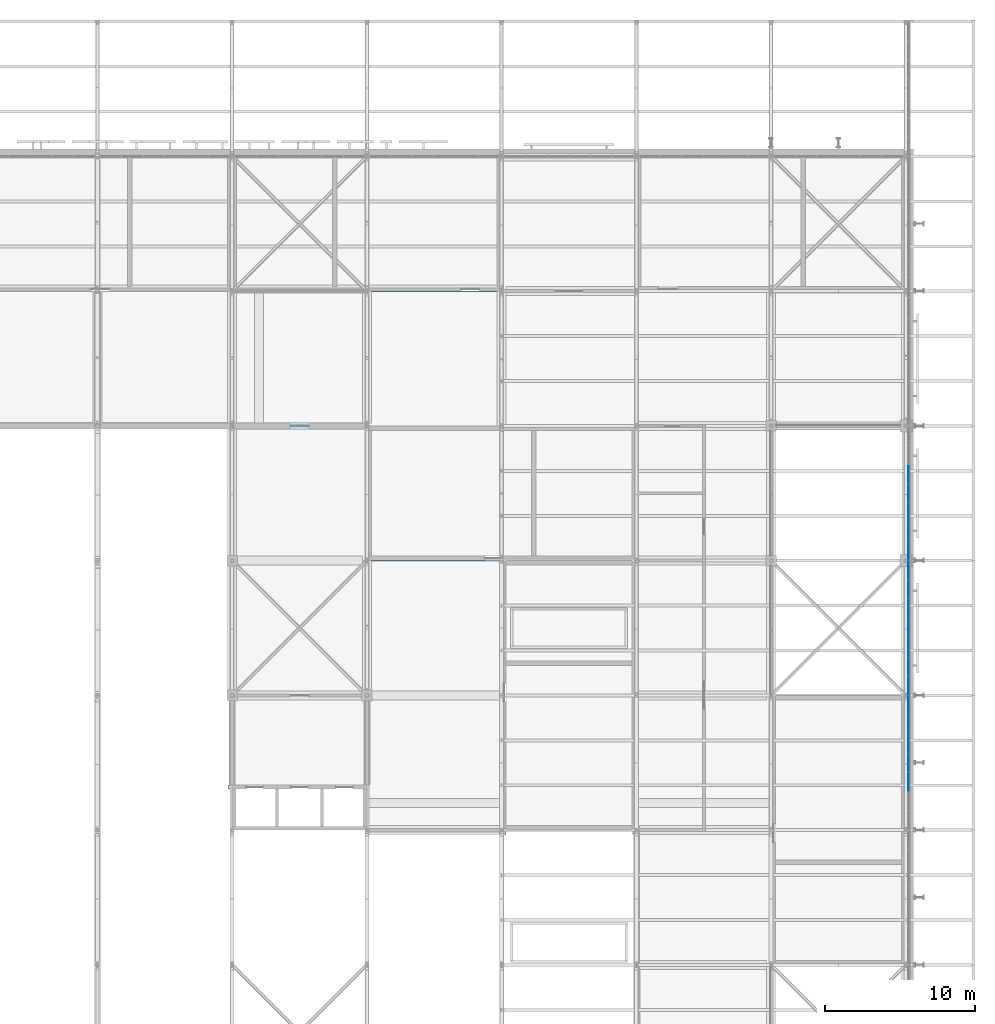
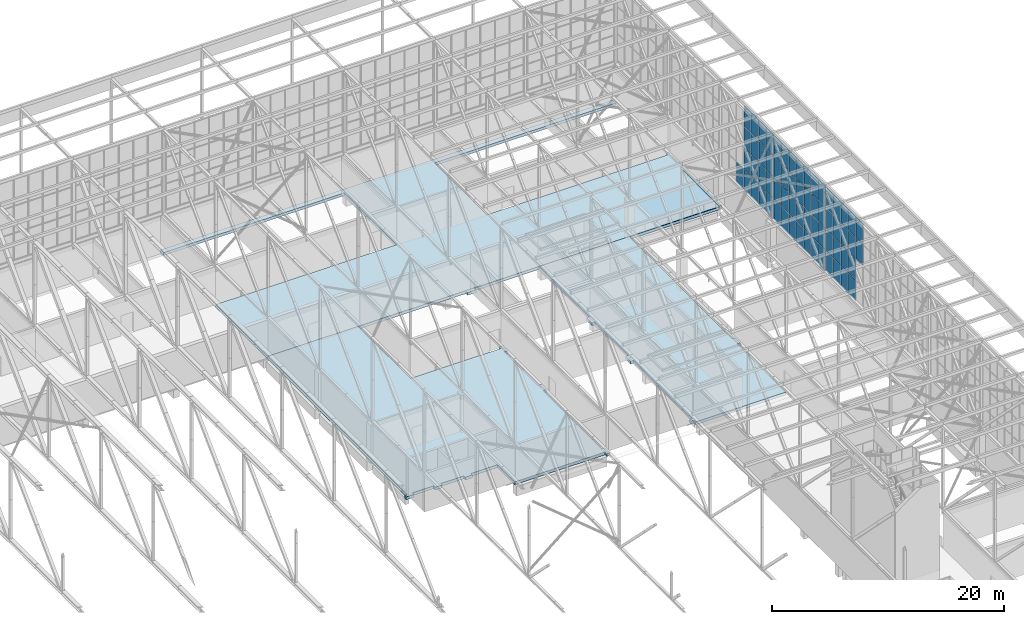
# One storey, part 157 of 646: 63 plates, 2 slabs, 3 elements without a shape of their own.
"""IFC4 building model written with IfcOpenShell, lengths in metres."""

from ifc_helpers import new_model, si_unit, direction, frame, origin, origin_2d, place, context, subcontext, project, spatial, polyline, rectangle, outline, extrude, material, layer, layer_set, type_object, element, aggregate, save


model = new_model("IFC4")

# Units and contexts
model_context = context("Model", 3, precision=1e-05, world=origin(), true_north=direction((0.0, 1.0)))
body_context = subcontext(model_context, "Body", "Model", "MODEL_VIEW")
ifc_project = project(units=[si_unit("LENGTHUNIT", "METRE"), si_unit("AREAUNIT", "SQUARE_METRE"), si_unit("VOLUMEUNIT", "CUBIC_METRE"), si_unit("PLANEANGLEUNIT", "RADIAN"), si_unit("MASSUNIT", "GRAM", prefix="KILO")], contexts=[model_context])

# Site, building, storey
site_placement = place(None, origin())
site = spatial("IfcSite", under=ifc_project, at=site_placement, CompositionType="ELEMENT")
building_placement = place(site_placement, origin())
building = spatial("IfcBuilding", under=site, at=building_placement, Name="Silverbay Arena", CompositionType="ELEMENT")
storey_placement = place(building_placement, frame((0.0, 0.0, 33.5)))
storey = spatial("IfcBuildingStorey", under=building, at=storey_placement, Name="L05", CompositionType="ELEMENT", Elevation=33.5)

# Curtain wall, plates
ifc_material_1 = material(Name="Aluminium framed glazing", Category="aluminium")
curtain_wall_type = type_object("IfcCurtainWallType", Name="Curtain wall clerestory 9000 x 9000", PredefinedType="NOTDEFINED", material=ifc_material_1)
curtain_wall_1_placement = place(storey_placement, origin())
curtain_wall_1 = element("IfcCurtainWall", 1, at=curtain_wall_1_placement, inside=storey, type_object=curtain_wall_type, Name="ROOF GABLE CLERESTORY CURTAIN WALL east bay 11", PredefinedType="NOTDEFINED")
ifc_material_2 = material(Name="Laminated glass", Category="glass")
ifc_layer_1 = layer(ifc_material_2, 0.028076171875)
ifc_layer_set_1 = layer_set([ifc_layer_1], Name="Laminated glass")
plate_type = type_object("IfcPlateType", Name="Glass panel 28", PredefinedType="CURTAIN_PANEL", material=ifc_layer_set_1)
plate_1_placement = place(storey_placement, frame((207.179931640625, 102.21435546875, 8.52490234375), z_axis=(0.0, 0.0, 1.0), x_axis=(0.0, 1.0, 0.0)))
plate_1 = element("IfcPlate", 2, at=plate_1_placement, type_object=plate_type, Name="CW60 panel 3.3", PredefinedType="CURTAIN_PANEL", context=body_context, shape_type="SweptSolid", body=[
    extrude(rectangle(XDim=1.225830078125, YDim=0.028076171875, at=origin_2d()), origin(), (0.0, 0.0, 1.0), 2.199951171875),
])
plate_2_placement = place(storey_placement, frame((207.179931640625, 102.21435546875, 10.77490234375), z_axis=(0.0, 0.0, 1.0), x_axis=(0.0, 1.0, 0.0)))
plate_2 = element("IfcPlate", 3, at=plate_2_placement, type_object=plate_type, Name="CW60 panel 3.4", PredefinedType="CURTAIN_PANEL", context=body_context, shape_type="SweptSolid", body=[
    extrude(rectangle(XDim=1.225830078125, YDim=0.028076171875, at=origin_2d()), origin(), (0.0, 0.0, 1.0), 2.175048828125),
])
plate_3_placement = place(storey_placement, frame((207.179931640625, 103.5, 4.0498046875), z_axis=(0.0, 0.0, 1.0), x_axis=(0.0, 1.0, 0.0)))
plate_3 = element("IfcPlate", 4, at=plate_3_placement, type_object=plate_type, Name="CW60 panel 4.1", PredefinedType="CURTAIN_PANEL", context=body_context, shape_type="SweptSolid", body=[
    extrude(rectangle(XDim=1.225830078125, YDim=0.028076171875, at=origin_2d()), origin(), (0.0, 0.0, 1.0), 2.175048828125),
])
plate_4_placement = place(storey_placement, frame((207.179931640625, 103.5, 6.27490234375), z_axis=(0.0, 0.0, 1.0), x_axis=(0.0, 1.0, 0.0)))
plate_4 = element("IfcPlate", 5, at=plate_4_placement, type_object=plate_type, Name="CW60 panel 4.2", PredefinedType="CURTAIN_PANEL", context=body_context, shape_type="SweptSolid", body=[
    extrude(rectangle(XDim=1.225830078125, YDim=0.028076171875, at=origin_2d()), origin(), (0.0, 0.0, 1.0), 2.199951171875),
])
plate_5_placement = place(storey_placement, frame((207.179931640625, 103.5, 8.52490234375), z_axis=(0.0, 0.0, 1.0), x_axis=(0.0, 1.0, 0.0)))
plate_5 = element("IfcPlate", 6, at=plate_5_placement, type_object=plate_type, Name="CW60 panel 4.3", PredefinedType="CURTAIN_PANEL", context=body_context, shape_type="SweptSolid", body=[
    extrude(rectangle(XDim=1.225830078125, YDim=0.028076171875, at=origin_2d()), origin(), (0.0, 0.0, 1.0), 2.199951171875),
])
plate_6_placement = place(storey_placement, frame((207.179931640625, 103.5, 10.77490234375), z_axis=(0.0, 0.0, 1.0), x_axis=(0.0, 1.0, 0.0)))
plate_6 = element("IfcPlate", 7, at=plate_6_placement, type_object=plate_type, Name="CW60 panel 4.4", PredefinedType="CURTAIN_PANEL", context=body_context, shape_type="SweptSolid", body=[
    extrude(rectangle(XDim=1.225830078125, YDim=0.028076171875, at=origin_2d()), origin(), (0.0, 0.0, 1.0), 2.175048828125),
])
plate_7_placement = place(storey_placement, frame((207.179931640625, 104.78564453125, 4.0498046875), z_axis=(0.0, 0.0, 1.0), x_axis=(0.0, 1.0, 0.0)))
plate_7 = element("IfcPlate", 8, at=plate_7_placement, type_object=plate_type, Name="CW60 panel 5.1", PredefinedType="CURTAIN_PANEL", context=body_context, shape_type="SweptSolid", body=[
    extrude(rectangle(XDim=1.225830078125, YDim=0.028076171875, at=origin_2d()), origin(), (0.0, 0.0, 1.0), 2.175048828125),
])
plate_8_placement = place(storey_placement, frame((207.179931640625, 104.78564453125, 6.27490234375), z_axis=(0.0, 0.0, 1.0), x_axis=(0.0, 1.0, 0.0)))
plate_8 = element("IfcPlate", 9, at=plate_8_placement, type_object=plate_type, Name="CW60 panel 5.2", PredefinedType="CURTAIN_PANEL", context=body_context, shape_type="SweptSolid", body=[
    extrude(rectangle(XDim=1.225830078125, YDim=0.028076171875, at=origin_2d()), origin(), (0.0, 0.0, 1.0), 2.199951171875),
])
plate_9_placement = place(storey_placement, frame((207.179931640625, 104.78564453125, 8.52490234375), z_axis=(0.0, 0.0, 1.0), x_axis=(0.0, 1.0, 0.0)))
plate_9 = element("IfcPlate", 10, at=plate_9_placement, type_object=plate_type, Name="CW60 panel 5.3", PredefinedType="CURTAIN_PANEL", context=body_context, shape_type="SweptSolid", body=[
    extrude(rectangle(XDim=1.225830078125, YDim=0.028076171875, at=origin_2d()), origin(), (0.0, 0.0, 1.0), 2.199951171875),
])
plate_10_placement = place(storey_placement, frame((207.179931640625, 104.78564453125, 10.77490234375), z_axis=(0.0, 0.0, 1.0), x_axis=(0.0, 1.0, 0.0)))
plate_10 = element("IfcPlate", 11, at=plate_10_placement, type_object=plate_type, Name="CW60 panel 5.4", PredefinedType="CURTAIN_PANEL", context=body_context, shape_type="SweptSolid", body=[
    extrude(rectangle(XDim=1.225830078125, YDim=0.028076171875, at=origin_2d()), origin(), (0.0, 0.0, 1.0), 2.175048828125),
])
plate_11_placement = place(storey_placement, frame((207.179931640625, 106.071533203125, 4.0498046875), z_axis=(0.0, 0.0, 1.0), x_axis=(0.0, 1.0, 0.0)))
plate_11 = element("IfcPlate", 12, at=plate_11_placement, type_object=plate_type, Name="CW60 panel 6.1", PredefinedType="CURTAIN_PANEL", context=body_context, shape_type="SweptSolid", body=[
    extrude(rectangle(XDim=1.225830078125, YDim=0.028076171875, at=origin_2d()), origin(), (0.0, 0.0, 1.0), 2.175048828125),
])
plate_12_placement = place(storey_placement, frame((207.179931640625, 106.071533203125, 6.27490234375), z_axis=(0.0, 0.0, 1.0), x_axis=(0.0, 1.0, 0.0)))
plate_12 = element("IfcPlate", 13, at=plate_12_placement, type_object=plate_type, Name="CW60 panel 6.2", PredefinedType="CURTAIN_PANEL", context=body_context, shape_type="SweptSolid", body=[
    extrude(rectangle(XDim=1.225830078125, YDim=0.028076171875, at=origin_2d()), origin(), (0.0, 0.0, 1.0), 2.199951171875),
])
plate_13_placement = place(storey_placement, frame((207.179931640625, 106.071533203125, 8.52490234375), z_axis=(0.0, 0.0, 1.0), x_axis=(0.0, 1.0, 0.0)))
plate_13 = element("IfcPlate", 14, at=plate_13_placement, type_object=plate_type, Name="CW60 panel 6.3", PredefinedType="CURTAIN_PANEL", context=body_context, shape_type="SweptSolid", body=[
    extrude(rectangle(XDim=1.225830078125, YDim=0.028076171875, at=origin_2d()), origin(), (0.0, 0.0, 1.0), 2.199951171875),
])
plate_14_placement = place(storey_placement, frame((207.179931640625, 106.071533203125, 10.77490234375), z_axis=(0.0, 0.0, 1.0), x_axis=(0.0, 1.0, 0.0)))
plate_14 = element("IfcPlate", 15, at=plate_14_placement, type_object=plate_type, Name="CW60 panel 6.4", PredefinedType="CURTAIN_PANEL", context=body_context, shape_type="SweptSolid", body=[
    extrude(rectangle(XDim=1.225830078125, YDim=0.028076171875, at=origin_2d()), origin(), (0.0, 0.0, 1.0), 2.175048828125),
])
plate_15_placement = place(storey_placement, frame((207.179931640625, 107.342041015625, 4.0498046875), z_axis=(0.0, 0.0, 1.0), x_axis=(0.0, 1.0, 0.0)))
plate_15 = element("IfcPlate", 16, at=plate_15_placement, type_object=plate_type, Name="CW60 panel 7.1", PredefinedType="CURTAIN_PANEL", context=body_context, shape_type="SweptSolid", body=[
    extrude(rectangle(XDim=1.19580078125, YDim=0.028076171875, at=origin_2d()), origin(), (0.0, 0.0, 1.0), 2.175048828125),
])
plate_16_placement = place(storey_placement, frame((207.179931640625, 107.342041015625, 6.27490234375), z_axis=(0.0, 0.0, 1.0), x_axis=(0.0, 1.0, 0.0)))
plate_16 = element("IfcPlate", 17, at=plate_16_placement, type_object=plate_type, Name="CW60 panel 7.2", PredefinedType="CURTAIN_PANEL", context=body_context, shape_type="SweptSolid", body=[
    extrude(rectangle(XDim=1.19580078125, YDim=0.028076171875, at=origin_2d()), origin(), (0.0, 0.0, 1.0), 2.199951171875),
])
plate_17_placement = place(storey_placement, frame((207.179931640625, 107.342041015625, 8.52490234375), z_axis=(0.0, 0.0, 1.0), x_axis=(0.0, 1.0, 0.0)))
plate_17 = element("IfcPlate", 18, at=plate_17_placement, type_object=plate_type, Name="CW60 panel 7.3", PredefinedType="CURTAIN_PANEL", context=body_context, shape_type="SweptSolid", body=[
    extrude(rectangle(XDim=1.19580078125, YDim=0.028076171875, at=origin_2d()), origin(), (0.0, 0.0, 1.0), 2.199951171875),
])
plate_18_placement = place(storey_placement, frame((207.179931640625, 107.342041015625, 10.77490234375), z_axis=(0.0, 0.0, 1.0), x_axis=(0.0, 1.0, 0.0)))
plate_18 = element("IfcPlate", 19, at=plate_18_placement, type_object=plate_type, Name="CW60 panel 7.4", PredefinedType="CURTAIN_PANEL", context=body_context, shape_type="SweptSolid", body=[
    extrude(rectangle(XDim=1.19580078125, YDim=0.028076171875, at=origin_2d()), origin(), (0.0, 0.0, 1.0), 2.175048828125),
])
aggregate(curtain_wall_1, [plate_1, plate_2, plate_3, plate_4, plate_5, plate_6, plate_7, plate_8, plate_9, plate_10, plate_11, plate_12, plate_13, plate_14, plate_15, plate_16, plate_17, plate_18])

curtain_wall_2_placement = place(storey_placement, origin())
curtain_wall_2 = element("IfcCurtainWall", 20, at=curtain_wall_2_placement, inside=storey, type_object=curtain_wall_type, Name="ROOF GABLE CLERESTORY CURTAIN WALL east bay 12", PredefinedType="NOTDEFINED")
plate_19_placement = place(storey_placement, frame((207.179931640625, 108.657958984375, 4.0498046875), z_axis=(0.0, 0.0, 1.0), x_axis=(0.0, 1.0, 0.0)))
plate_19 = element("IfcPlate", 21, at=plate_19_placement, type_object=plate_type, Name="CW60 panel 1.1", PredefinedType="CURTAIN_PANEL", context=body_context, shape_type="SweptSolid", body=[
    extrude(rectangle(XDim=1.19580078125, YDim=0.028076171875, at=origin_2d()), origin(), (0.0, 0.0, 1.0), 2.175048828125),
])
plate_20_placement = place(storey_placement, frame((207.179931640625, 108.657958984375, 6.27490234375), z_axis=(0.0, 0.0, 1.0), x_axis=(0.0, 1.0, 0.0)))
plate_20 = element("IfcPlate", 22, at=plate_20_placement, type_object=plate_type, Name="CW60 panel 1.2", PredefinedType="CURTAIN_PANEL", context=body_context, shape_type="SweptSolid", body=[
    extrude(rectangle(XDim=1.19580078125, YDim=0.028076171875, at=origin_2d()), origin(), (0.0, 0.0, 1.0), 2.199951171875),
])
plate_21_placement = place(storey_placement, frame((207.179931640625, 108.657958984375, 8.52490234375), z_axis=(0.0, 0.0, 1.0), x_axis=(0.0, 1.0, 0.0)))
plate_21 = element("IfcPlate", 23, at=plate_21_placement, type_object=plate_type, Name="CW60 panel 1.3", PredefinedType="CURTAIN_PANEL", context=body_context, shape_type="SweptSolid", body=[
    extrude(rectangle(XDim=1.19580078125, YDim=0.028076171875, at=origin_2d()), origin(), (0.0, 0.0, 1.0), 2.199951171875),
])
plate_22_placement = place(storey_placement, frame((207.179931640625, 108.657958984375, 10.77490234375), z_axis=(0.0, 0.0, 1.0), x_axis=(0.0, 1.0, 0.0)))
plate_22 = element("IfcPlate", 24, at=plate_22_placement, type_object=plate_type, Name="CW60 panel 1.4", PredefinedType="CURTAIN_PANEL", context=body_context, shape_type="SweptSolid", body=[
    extrude(rectangle(XDim=1.19580078125, YDim=0.028076171875, at=origin_2d()), origin(), (0.0, 0.0, 1.0), 2.175048828125),
])
plate_23_placement = place(storey_placement, frame((207.179931640625, 109.928466796875, 4.0498046875), z_axis=(0.0, 0.0, 1.0), x_axis=(0.0, 1.0, 0.0)))
plate_23 = element("IfcPlate", 25, at=plate_23_placement, type_object=plate_type, Name="CW60 panel 2.1", PredefinedType="CURTAIN_PANEL", context=body_context, shape_type="SweptSolid", body=[
    extrude(rectangle(XDim=1.225830078125, YDim=0.028076171875, at=origin_2d()), origin(), (0.0, 0.0, 1.0), 2.175048828125),
])
plate_24_placement = place(storey_placement, frame((207.179931640625, 109.928466796875, 6.27490234375), z_axis=(0.0, 0.0, 1.0), x_axis=(0.0, 1.0, 0.0)))
plate_24 = element("IfcPlate", 26, at=plate_24_placement, type_object=plate_type, Name="CW60 panel 2.2", PredefinedType="CURTAIN_PANEL", context=body_context, shape_type="SweptSolid", body=[
    extrude(rectangle(XDim=1.225830078125, YDim=0.028076171875, at=origin_2d()), origin(), (0.0, 0.0, 1.0), 2.199951171875),
])
plate_25_placement = place(storey_placement, frame((207.179931640625, 109.928466796875, 8.52490234375), z_axis=(0.0, 0.0, 1.0), x_axis=(0.0, 1.0, 0.0)))
plate_25 = element("IfcPlate", 27, at=plate_25_placement, type_object=plate_type, Name="CW60 panel 2.3", PredefinedType="CURTAIN_PANEL", context=body_context, shape_type="SweptSolid", body=[
    extrude(rectangle(XDim=1.225830078125, YDim=0.028076171875, at=origin_2d()), origin(), (0.0, 0.0, 1.0), 2.199951171875),
])
plate_26_placement = place(storey_placement, frame((207.179931640625, 109.928466796875, 10.77490234375), z_axis=(0.0, 0.0, 1.0), x_axis=(0.0, 1.0, 0.0)))
plate_26 = element("IfcPlate", 28, at=plate_26_placement, type_object=plate_type, Name="CW60 panel 2.4", PredefinedType="CURTAIN_PANEL", context=body_context, shape_type="SweptSolid", body=[
    extrude(rectangle(XDim=1.225830078125, YDim=0.028076171875, at=origin_2d()), origin(), (0.0, 0.0, 1.0), 2.175048828125),
])
plate_27_placement = place(storey_placement, frame((207.179931640625, 111.21435546875, 4.0498046875), z_axis=(0.0, 0.0, 1.0), x_axis=(0.0, 1.0, 0.0)))
plate_27 = element("IfcPlate", 29, at=plate_27_placement, type_object=plate_type, Name="CW60 panel 3.1", PredefinedType="CURTAIN_PANEL", context=body_context, shape_type="SweptSolid", body=[
    extrude(rectangle(XDim=1.225830078125, YDim=0.028076171875, at=origin_2d()), origin(), (0.0, 0.0, 1.0), 2.175048828125),
])
plate_28_placement = place(storey_placement, frame((207.179931640625, 111.21435546875, 6.27490234375), z_axis=(0.0, 0.0, 1.0), x_axis=(0.0, 1.0, 0.0)))
plate_28 = element("IfcPlate", 30, at=plate_28_placement, type_object=plate_type, Name="CW60 panel 3.2", PredefinedType="CURTAIN_PANEL", context=body_context, shape_type="SweptSolid", body=[
    extrude(rectangle(XDim=1.225830078125, YDim=0.028076171875, at=origin_2d()), origin(), (0.0, 0.0, 1.0), 2.199951171875),
])
plate_29_placement = place(storey_placement, frame((207.179931640625, 111.21435546875, 8.52490234375), z_axis=(0.0, 0.0, 1.0), x_axis=(0.0, 1.0, 0.0)))
plate_29 = element("IfcPlate", 31, at=plate_29_placement, type_object=plate_type, Name="CW60 panel 3.3", PredefinedType="CURTAIN_PANEL", context=body_context, shape_type="SweptSolid", body=[
    extrude(rectangle(XDim=1.225830078125, YDim=0.028076171875, at=origin_2d()), origin(), (0.0, 0.0, 1.0), 2.199951171875),
])
plate_30_placement = place(storey_placement, frame((207.179931640625, 111.21435546875, 10.77490234375), z_axis=(0.0, 0.0, 1.0), x_axis=(0.0, 1.0, 0.0)))
plate_30 = element("IfcPlate", 32, at=plate_30_placement, type_object=plate_type, Name="CW60 panel 3.4", PredefinedType="CURTAIN_PANEL", context=body_context, shape_type="SweptSolid", body=[
    extrude(rectangle(XDim=1.225830078125, YDim=0.028076171875, at=origin_2d()), origin(), (0.0, 0.0, 1.0), 2.175048828125),
])
plate_31_placement = place(storey_placement, frame((207.179931640625, 112.5, 4.0498046875), z_axis=(0.0, 0.0, 1.0), x_axis=(0.0, 1.0, 0.0)))
plate_31 = element("IfcPlate", 33, at=plate_31_placement, type_object=plate_type, Name="CW60 panel 4.1", PredefinedType="CURTAIN_PANEL", context=body_context, shape_type="SweptSolid", body=[
    extrude(rectangle(XDim=1.225830078125, YDim=0.028076171875, at=origin_2d()), origin(), (0.0, 0.0, 1.0), 2.175048828125),
])
plate_32_placement = place(storey_placement, frame((207.179931640625, 112.5, 6.27490234375), z_axis=(0.0, 0.0, 1.0), x_axis=(0.0, 1.0, 0.0)))
plate_32 = element("IfcPlate", 34, at=plate_32_placement, type_object=plate_type, Name="CW60 panel 4.2", PredefinedType="CURTAIN_PANEL", context=body_context, shape_type="SweptSolid", body=[
    extrude(rectangle(XDim=1.225830078125, YDim=0.028076171875, at=origin_2d()), origin(), (0.0, 0.0, 1.0), 2.199951171875),
])
plate_33_placement = place(storey_placement, frame((207.179931640625, 112.5, 8.52490234375), z_axis=(0.0, 0.0, 1.0), x_axis=(0.0, 1.0, 0.0)))
plate_33 = element("IfcPlate", 35, at=plate_33_placement, type_object=plate_type, Name="CW60 panel 4.3", PredefinedType="CURTAIN_PANEL", context=body_context, shape_type="SweptSolid", body=[
    extrude(rectangle(XDim=1.225830078125, YDim=0.028076171875, at=origin_2d()), origin(), (0.0, 0.0, 1.0), 2.199951171875),
])
plate_34_placement = place(storey_placement, frame((207.179931640625, 112.5, 10.77490234375), z_axis=(0.0, 0.0, 1.0), x_axis=(0.0, 1.0, 0.0)))
plate_34 = element("IfcPlate", 36, at=plate_34_placement, type_object=plate_type, Name="CW60 panel 4.4", PredefinedType="CURTAIN_PANEL", context=body_context, shape_type="SweptSolid", body=[
    extrude(rectangle(XDim=1.225830078125, YDim=0.028076171875, at=origin_2d()), origin(), (0.0, 0.0, 1.0), 2.175048828125),
])
plate_35_placement = place(storey_placement, frame((207.179931640625, 113.78564453125, 4.0498046875), z_axis=(0.0, 0.0, 1.0), x_axis=(0.0, 1.0, 0.0)))
plate_35 = element("IfcPlate", 37, at=plate_35_placement, type_object=plate_type, Name="CW60 panel 5.1", PredefinedType="CURTAIN_PANEL", context=body_context, shape_type="SweptSolid", body=[
    extrude(rectangle(XDim=1.225830078125, YDim=0.028076171875, at=origin_2d()), origin(), (0.0, 0.0, 1.0), 2.175048828125),
])
plate_36_placement = place(storey_placement, frame((207.179931640625, 113.78564453125, 6.27490234375), z_axis=(0.0, 0.0, 1.0), x_axis=(0.0, 1.0, 0.0)))
plate_36 = element("IfcPlate", 38, at=plate_36_placement, type_object=plate_type, Name="CW60 panel 5.2", PredefinedType="CURTAIN_PANEL", context=body_context, shape_type="SweptSolid", body=[
    extrude(rectangle(XDim=1.225830078125, YDim=0.028076171875, at=origin_2d()), origin(), (0.0, 0.0, 1.0), 2.199951171875),
])
plate_37_placement = place(storey_placement, frame((207.179931640625, 113.78564453125, 8.52490234375), z_axis=(0.0, 0.0, 1.0), x_axis=(0.0, 1.0, 0.0)))
plate_37 = element("IfcPlate", 39, at=plate_37_placement, type_object=plate_type, Name="CW60 panel 5.3", PredefinedType="CURTAIN_PANEL", context=body_context, shape_type="SweptSolid", body=[
    extrude(rectangle(XDim=1.225830078125, YDim=0.028076171875, at=origin_2d()), origin(), (0.0, 0.0, 1.0), 2.199951171875),
])
plate_38_placement = place(storey_placement, frame((207.179931640625, 113.78564453125, 10.77490234375), z_axis=(0.0, 0.0, 1.0), x_axis=(0.0, 1.0, 0.0)))
plate_38 = element("IfcPlate", 40, at=plate_38_placement, type_object=plate_type, Name="CW60 panel 5.4", PredefinedType="CURTAIN_PANEL", context=body_context, shape_type="SweptSolid", body=[
    extrude(rectangle(XDim=1.225830078125, YDim=0.028076171875, at=origin_2d()), origin(), (0.0, 0.0, 1.0), 2.175048828125),
])
plate_39_placement = place(storey_placement, frame((207.179931640625, 115.071533203125, 4.0498046875), z_axis=(0.0, 0.0, 1.0), x_axis=(0.0, 1.0, 0.0)))
plate_39 = element("IfcPlate", 41, at=plate_39_placement, type_object=plate_type, Name="CW60 panel 6.1", PredefinedType="CURTAIN_PANEL", context=body_context, shape_type="SweptSolid", body=[
    extrude(rectangle(XDim=1.225830078125, YDim=0.028076171875, at=origin_2d()), origin(), (0.0, 0.0, 1.0), 2.175048828125),
])
plate_40_placement = place(storey_placement, frame((207.179931640625, 115.071533203125, 6.27490234375), z_axis=(0.0, 0.0, 1.0), x_axis=(0.0, 1.0, 0.0)))
plate_40 = element("IfcPlate", 42, at=plate_40_placement, type_object=plate_type, Name="CW60 panel 6.2", PredefinedType="CURTAIN_PANEL", context=body_context, shape_type="SweptSolid", body=[
    extrude(rectangle(XDim=1.225830078125, YDim=0.028076171875, at=origin_2d()), origin(), (0.0, 0.0, 1.0), 2.199951171875),
])
plate_41_placement = place(storey_placement, frame((207.179931640625, 115.071533203125, 8.52490234375), z_axis=(0.0, 0.0, 1.0), x_axis=(0.0, 1.0, 0.0)))
plate_41 = element("IfcPlate", 43, at=plate_41_placement, type_object=plate_type, Name="CW60 panel 6.3", PredefinedType="CURTAIN_PANEL", context=body_context, shape_type="SweptSolid", body=[
    extrude(rectangle(XDim=1.225830078125, YDim=0.028076171875, at=origin_2d()), origin(), (0.0, 0.0, 1.0), 2.199951171875),
])
plate_42_placement = place(storey_placement, frame((207.179931640625, 115.071533203125, 10.77490234375), z_axis=(0.0, 0.0, 1.0), x_axis=(0.0, 1.0, 0.0)))
plate_42 = element("IfcPlate", 44, at=plate_42_placement, type_object=plate_type, Name="CW60 panel 6.4", PredefinedType="CURTAIN_PANEL", context=body_context, shape_type="SweptSolid", body=[
    extrude(rectangle(XDim=1.225830078125, YDim=0.028076171875, at=origin_2d()), origin(), (0.0, 0.0, 1.0), 2.175048828125),
])
plate_43_placement = place(storey_placement, frame((207.179931640625, 116.342041015625, 4.0498046875), z_axis=(0.0, 0.0, 1.0), x_axis=(0.0, 1.0, 0.0)))
plate_43 = element("IfcPlate", 45, at=plate_43_placement, type_object=plate_type, Name="CW60 panel 7.1", PredefinedType="CURTAIN_PANEL", context=body_context, shape_type="SweptSolid", body=[
    extrude(rectangle(XDim=1.19580078125, YDim=0.028076171875, at=origin_2d()), origin(), (0.0, 0.0, 1.0), 2.175048828125),
])
plate_44_placement = place(storey_placement, frame((207.179931640625, 116.342041015625, 6.27490234375), z_axis=(0.0, 0.0, 1.0), x_axis=(0.0, 1.0, 0.0)))
plate_44 = element("IfcPlate", 46, at=plate_44_placement, type_object=plate_type, Name="CW60 panel 7.2", PredefinedType="CURTAIN_PANEL", context=body_context, shape_type="SweptSolid", body=[
    extrude(rectangle(XDim=1.19580078125, YDim=0.028076171875, at=origin_2d()), origin(), (0.0, 0.0, 1.0), 2.199951171875),
])
plate_45_placement = place(storey_placement, frame((207.179931640625, 116.342041015625, 8.52490234375), z_axis=(0.0, 0.0, 1.0), x_axis=(0.0, 1.0, 0.0)))
plate_45 = element("IfcPlate", 47, at=plate_45_placement, type_object=plate_type, Name="CW60 panel 7.3", PredefinedType="CURTAIN_PANEL", context=body_context, shape_type="SweptSolid", body=[
    extrude(rectangle(XDim=1.19580078125, YDim=0.028076171875, at=origin_2d()), origin(), (0.0, 0.0, 1.0), 2.199951171875),
])
plate_46_placement = place(storey_placement, frame((207.179931640625, 116.342041015625, 10.77490234375), z_axis=(0.0, 0.0, 1.0), x_axis=(0.0, 1.0, 0.0)))
plate_46 = element("IfcPlate", 48, at=plate_46_placement, type_object=plate_type, Name="CW60 panel 7.4", PredefinedType="CURTAIN_PANEL", context=body_context, shape_type="SweptSolid", body=[
    extrude(rectangle(XDim=1.19580078125, YDim=0.028076171875, at=origin_2d()), origin(), (0.0, 0.0, 1.0), 2.175048828125),
])
aggregate(curtain_wall_2, [plate_19, plate_20, plate_21, plate_22, plate_23, plate_24, plate_25, plate_26, plate_27, plate_28, plate_29, plate_30, plate_31, plate_32, plate_33, plate_34, plate_35, plate_36, plate_37, plate_38, plate_39, plate_40, plate_41, plate_42, plate_43, plate_44, plate_45, plate_46])

curtain_wall_3_placement = place(storey_placement, origin())
curtain_wall_3 = element("IfcCurtainWall", 49, at=curtain_wall_3_placement, inside=storey, type_object=curtain_wall_type, Name="ROOF GABLE CLERESTORY CURTAIN WALL east bay 13", PredefinedType="NOTDEFINED")
plate_47_placement = place(storey_placement, frame((207.179931640625, 117.657958984375, 4.0498046875), z_axis=(0.0, 0.0, 1.0), x_axis=(0.0, 1.0, 0.0)))
plate_47 = element("IfcPlate", 50, at=plate_47_placement, type_object=plate_type, Name="CW60 panel 1.1", PredefinedType="CURTAIN_PANEL", context=body_context, shape_type="SweptSolid", body=[
    extrude(rectangle(XDim=1.19580078125, YDim=0.028076171875, at=origin_2d()), origin(), (0.0, 0.0, 1.0), 2.175048828125),
])
plate_48_placement = place(storey_placement, frame((207.179931640625, 117.657958984375, 6.27490234375), z_axis=(0.0, 0.0, 1.0), x_axis=(0.0, 1.0, 0.0)))
plate_48 = element("IfcPlate", 51, at=plate_48_placement, type_object=plate_type, Name="CW60 panel 1.2", PredefinedType="CURTAIN_PANEL", context=body_context, shape_type="SweptSolid", body=[
    extrude(rectangle(XDim=1.19580078125, YDim=0.028076171875, at=origin_2d()), origin(), (0.0, 0.0, 1.0), 2.199951171875),
])
plate_49_placement = place(storey_placement, frame((207.179931640625, 117.657958984375, 8.52490234375), z_axis=(0.0, 0.0, 1.0), x_axis=(0.0, 1.0, 0.0)))
plate_49 = element("IfcPlate", 52, at=plate_49_placement, type_object=plate_type, Name="CW60 panel 1.3", PredefinedType="CURTAIN_PANEL", context=body_context, shape_type="SweptSolid", body=[
    extrude(rectangle(XDim=1.19580078125, YDim=0.028076171875, at=origin_2d()), origin(), (0.0, 0.0, 1.0), 2.199951171875),
])
plate_50_placement = place(storey_placement, frame((207.179931640625, 117.657958984375, 10.77490234375), z_axis=(0.0, 0.0, 1.0), x_axis=(0.0, 1.0, 0.0)))
plate_50 = element("IfcPlate", 53, at=plate_50_placement, type_object=plate_type, Name="CW60 panel 1.4", PredefinedType="CURTAIN_PANEL", context=body_context, shape_type="SweptSolid", body=[
    extrude(rectangle(XDim=1.19580078125, YDim=0.028076171875, at=origin_2d()), origin(), (0.0, 0.0, 1.0), 2.175048828125),
])
plate_51_placement = place(storey_placement, frame((207.179931640625, 118.928466796875, 4.0498046875), z_axis=(0.0, 0.0, 1.0), x_axis=(0.0, 1.0, 0.0)))
plate_51 = element("IfcPlate", 54, at=plate_51_placement, type_object=plate_type, Name="CW60 panel 2.1", PredefinedType="CURTAIN_PANEL", context=body_context, shape_type="SweptSolid", body=[
    extrude(rectangle(XDim=1.225830078125, YDim=0.028076171875, at=origin_2d()), origin(), (0.0, 0.0, 1.0), 2.175048828125),
])
plate_52_placement = place(storey_placement, frame((207.179931640625, 118.928466796875, 6.27490234375), z_axis=(0.0, 0.0, 1.0), x_axis=(0.0, 1.0, 0.0)))
plate_52 = element("IfcPlate", 55, at=plate_52_placement, type_object=plate_type, Name="CW60 panel 2.2", PredefinedType="CURTAIN_PANEL", context=body_context, shape_type="SweptSolid", body=[
    extrude(rectangle(XDim=1.225830078125, YDim=0.028076171875, at=origin_2d()), origin(), (0.0, 0.0, 1.0), 2.199951171875),
])
plate_53_placement = place(storey_placement, frame((207.179931640625, 118.928466796875, 8.52490234375), z_axis=(0.0, 0.0, 1.0), x_axis=(0.0, 1.0, 0.0)))
plate_53 = element("IfcPlate", 56, at=plate_53_placement, type_object=plate_type, Name="CW60 panel 2.3", PredefinedType="CURTAIN_PANEL", context=body_context, shape_type="SweptSolid", body=[
    extrude(rectangle(XDim=1.225830078125, YDim=0.028076171875, at=origin_2d()), origin(), (0.0, 0.0, 1.0), 2.199951171875),
])
plate_54_placement = place(storey_placement, frame((207.179931640625, 118.928466796875, 10.77490234375), z_axis=(0.0, 0.0, 1.0), x_axis=(0.0, 1.0, 0.0)))
plate_54 = element("IfcPlate", 57, at=plate_54_placement, type_object=plate_type, Name="CW60 panel 2.4", PredefinedType="CURTAIN_PANEL", context=body_context, shape_type="SweptSolid", body=[
    extrude(rectangle(XDim=1.225830078125, YDim=0.028076171875, at=origin_2d()), origin(), (0.0, 0.0, 1.0), 2.175048828125),
])
plate_55_placement = place(storey_placement, frame((207.179931640625, 120.21435546875, 4.0498046875), z_axis=(0.0, 0.0, 1.0), x_axis=(0.0, 1.0, 0.0)))
plate_55 = element("IfcPlate", 58, at=plate_55_placement, type_object=plate_type, Name="CW60 panel 3.1", PredefinedType="CURTAIN_PANEL", context=body_context, shape_type="SweptSolid", body=[
    extrude(rectangle(XDim=1.225830078125, YDim=0.028076171875, at=origin_2d()), origin(), (0.0, 0.0, 1.0), 2.175048828125),
])
plate_56_placement = place(storey_placement, frame((207.179931640625, 120.21435546875, 6.27490234375), z_axis=(0.0, 0.0, 1.0), x_axis=(0.0, 1.0, 0.0)))
plate_56 = element("IfcPlate", 59, at=plate_56_placement, type_object=plate_type, Name="CW60 panel 3.2", PredefinedType="CURTAIN_PANEL", context=body_context, shape_type="SweptSolid", body=[
    extrude(rectangle(XDim=1.225830078125, YDim=0.028076171875, at=origin_2d()), origin(), (0.0, 0.0, 1.0), 2.199951171875),
])
plate_57_placement = place(storey_placement, frame((207.179931640625, 120.21435546875, 8.52490234375), z_axis=(0.0, 0.0, 1.0), x_axis=(0.0, 1.0, 0.0)))
plate_57 = element("IfcPlate", 60, at=plate_57_placement, type_object=plate_type, Name="CW60 panel 3.3", PredefinedType="CURTAIN_PANEL", context=body_context, shape_type="SweptSolid", body=[
    extrude(rectangle(XDim=1.225830078125, YDim=0.028076171875, at=origin_2d()), origin(), (0.0, 0.0, 1.0), 2.199951171875),
])
plate_58_placement = place(storey_placement, frame((207.179931640625, 120.21435546875, 10.77490234375), z_axis=(0.0, 0.0, 1.0), x_axis=(0.0, 1.0, 0.0)))
plate_58 = element("IfcPlate", 61, at=plate_58_placement, type_object=plate_type, Name="CW60 panel 3.4", PredefinedType="CURTAIN_PANEL", context=body_context, shape_type="SweptSolid", body=[
    extrude(rectangle(XDim=1.225830078125, YDim=0.028076171875, at=origin_2d()), origin(), (0.0, 0.0, 1.0), 2.175048828125),
])
plate_59_placement = place(storey_placement, frame((207.179931640625, 121.5, 4.0498046875), z_axis=(0.0, 0.0, 1.0), x_axis=(0.0, 1.0, 0.0)))
plate_59 = element("IfcPlate", 62, at=plate_59_placement, type_object=plate_type, Name="CW60 panel 4.1", PredefinedType="CURTAIN_PANEL", context=body_context, shape_type="SweptSolid", body=[
    extrude(rectangle(XDim=1.225830078125, YDim=0.028076171875, at=origin_2d()), origin(), (0.0, 0.0, 1.0), 2.175048828125),
])
plate_60_placement = place(storey_placement, frame((207.179931640625, 121.5, 6.27490234375), z_axis=(0.0, 0.0, 1.0), x_axis=(0.0, 1.0, 0.0)))
plate_60 = element("IfcPlate", 63, at=plate_60_placement, type_object=plate_type, Name="CW60 panel 4.2", PredefinedType="CURTAIN_PANEL", context=body_context, shape_type="SweptSolid", body=[
    extrude(rectangle(XDim=1.225830078125, YDim=0.028076171875, at=origin_2d()), origin(), (0.0, 0.0, 1.0), 2.199951171875),
])
plate_61_placement = place(storey_placement, frame((207.179931640625, 121.5, 8.52490234375), z_axis=(0.0, 0.0, 1.0), x_axis=(0.0, 1.0, 0.0)))
plate_61 = element("IfcPlate", 64, at=plate_61_placement, type_object=plate_type, Name="CW60 panel 4.3", PredefinedType="CURTAIN_PANEL", context=body_context, shape_type="SweptSolid", body=[
    extrude(rectangle(XDim=1.225830078125, YDim=0.028076171875, at=origin_2d()), origin(), (0.0, 0.0, 1.0), 2.199951171875),
])
plate_62_placement = place(storey_placement, frame((207.179931640625, 121.5, 10.77490234375), z_axis=(0.0, 0.0, 1.0), x_axis=(0.0, 1.0, 0.0)))
plate_62 = element("IfcPlate", 65, at=plate_62_placement, type_object=plate_type, Name="CW60 panel 4.4", PredefinedType="CURTAIN_PANEL", context=body_context, shape_type="SweptSolid", body=[
    extrude(rectangle(XDim=1.225830078125, YDim=0.028076171875, at=origin_2d()), origin(), (0.0, 0.0, 1.0), 2.175048828125),
])
plate_63_placement = place(storey_placement, frame((207.179931640625, 122.78564453125, 4.0498046875), z_axis=(0.0, 0.0, 1.0), x_axis=(0.0, 1.0, 0.0)))
plate_63 = element("IfcPlate", 66, at=plate_63_placement, type_object=plate_type, Name="CW60 panel 5.1", PredefinedType="CURTAIN_PANEL", context=body_context, shape_type="SweptSolid", body=[
    extrude(rectangle(XDim=1.225830078125, YDim=0.028076171875, at=origin_2d()), origin(), (0.0, 0.0, 1.0), 2.175048828125),
])
aggregate(curtain_wall_3, [plate_47, plate_48, plate_49, plate_50, plate_51, plate_52, plate_53, plate_54, plate_55, plate_56, plate_57, plate_58, plate_59, plate_60, plate_61, plate_62, plate_63])

# Slabs
ifc_material_3 = material(Name="Concrete Grade C45", Category="concrete")
ifc_layer_2 = layer(ifc_material_3, 0.300048828125)
ifc_layer_set_2 = layer_set([ifc_layer_2], Name="Concrete Grade C45")
slab_type = type_object("IfcSlabType", Name="RC floor slab 300", PredefinedType="FLOOR", material=ifc_layer_set_2)
slab_1_placement = place(storey_placement, frame((0.0, 0.0, -0.300048828125)))
element("IfcSlab", 67, at=slab_1_placement, inside=storey, type_object=slab_type, Name="Floor slab L05 unit 9", PredefinedType="FLOOR", context=body_context, shape_type="SweptSolid", body=[
    extrude(outline(polyline([(189.0, 99.324951171875), (188.699951171875, 99.324951171875), (188.699951171875, 99.60009765625), (189.0, 99.60009765625), (189.0, 109.699951171875), (188.699951171875, 109.699951171875), (188.699951171875, 110.60009765625), (189.0, 110.60009765625), (189.0, 116.39990234375), (188.699951171875, 116.39990234375), (188.699951171875, 117.300048828125), (189.0, 117.300048828125), (189.0, 126.0), (182.60009765625, 126.0), (182.60009765625, 125.699951171875), (181.699951171875, 125.699951171875), (181.699951171875, 126.0), (171.0, 126.0), (171.0, 117.0), (180.0, 117.0), (180.0, 117.300048828125), (180.300048828125, 117.300048828125), (180.300048828125, 116.39990234375), (180.0, 116.39990234375), (180.0, 110.60009765625), (180.300048828125, 110.60009765625), (180.300048828125, 109.699951171875), (180.0, 109.699951171875), (180.0, 99.60009765625), (180.300048828125, 99.60009765625), (180.300048828125, 98.72509765625), (180.0, 98.72509765625), (180.0, 99.02490234375), (171.0, 99.02490234375), (171.0, 102.0), (168.35009765625, 102.0), (168.35009765625, 101.75), (167.64990234375, 101.75), (167.64990234375, 102.0), (165.35009765625, 102.0), (165.35009765625, 101.75), (164.64990234375, 101.75), (164.64990234375, 102.0), (162.5, 102.0), (162.5, 101.75), (161.75, 101.75), (161.75, 102.0), (162.0, 102.0), (162.0, 126.02490234375), (206.97509765625, 126.02490234375), (206.97509765625, 126.0), (198.0, 126.0), (198.0, 108.300048828125), (198.300048828125, 108.300048828125), (198.300048828125, 107.39990234375), (198.0, 107.39990234375), (198.0, 99.02490234375), (189.0, 99.02490234375), (189.0, 99.324951171875)])), origin(), (0.0, 0.0, 1.0), 0.300048828125),
])
slab_2_placement = place(storey_placement, frame((0.0, 0.0, -0.300048828125)))
element("IfcSlab", 68, at=slab_2_placement, inside=storey, type_object=slab_type, Name="Floor slab L05 unit 12", PredefinedType="FLOOR", context=body_context, shape_type="SweptSolid", body=[
    extrude(outline(polyline([(207.300048828125, 134.675048828125), (207.27490234375, 134.675048828125), (207.27490234375, 126.10009765625), (207.0, 126.10009765625), (207.0, 134.97509765625), (206.97509765625, 134.97509765625), (206.97509765625, 126.02490234375), (162.0, 126.02490234375), (162.0, 135.0), (180.0, 135.0), (180.0, 144.0), (162.0, 144.0), (162.0, 144.5), (206.97509765625, 144.5), (206.97509765625, 144.52490234375), (207.0, 144.52490234375), (207.0, 143.97509765625), (206.97509765625, 143.97509765625), (206.97509765625, 144.0), (189.0, 144.0), (189.0, 135.0), (206.97509765625, 135.0), (206.97509765625, 135.02490234375), (207.0, 135.02490234375), (207.0, 135.300048828125), (207.300048828125, 135.300048828125), (207.300048828125, 134.675048828125)])), origin(), (0.0, 0.0, 1.0), 0.300048828125),
])

save(model, "model.ifc")
